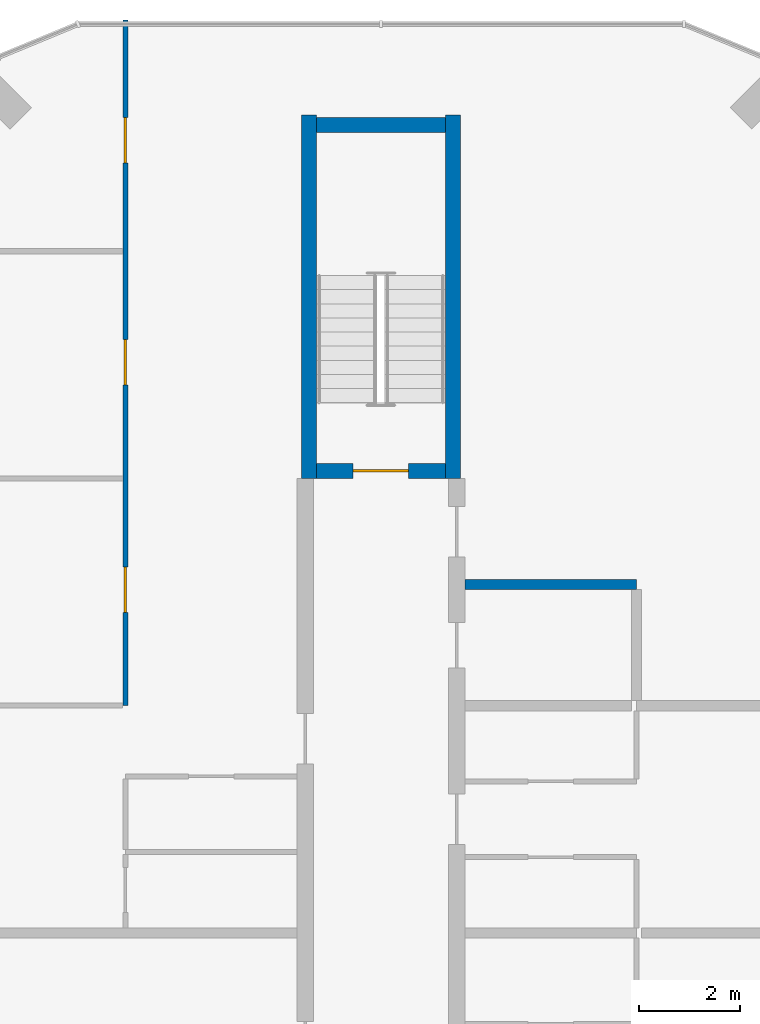
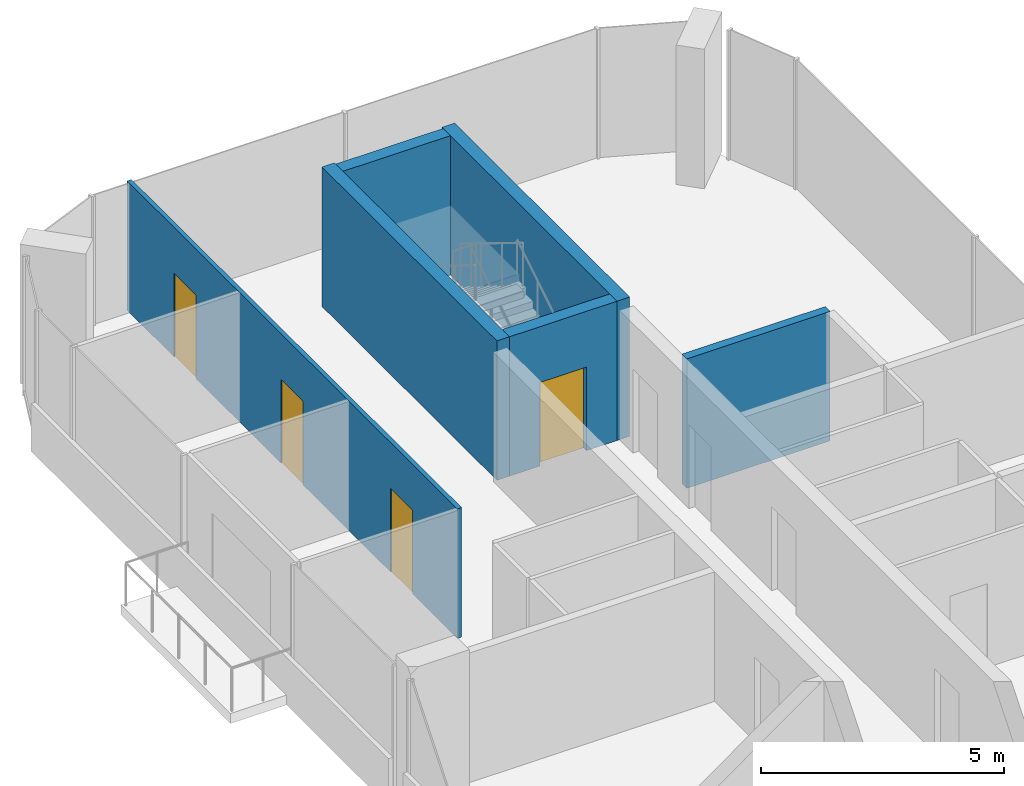
# One storey, part 17 of 27: 6 walls, 4 doors, 4 openings.
"""IFC4 building model written with IfcOpenShell, lengths in metres."""

from ifc_helpers import new_model, si_unit, direction, frame, frame_2d, origin, place, context, subcontext, project, spatial, rectangle, extrude, material, layer, layer_set, type_object, element, fill, save


model = new_model("IFC4")

# Units and contexts
model_context = context("Model", 3, precision=1e-05, world=origin(), true_north=direction((0.0, 1.0)))
body_context = subcontext(model_context, "Body", "Model", "MODEL_VIEW")
ifc_project = project(units=[si_unit("LENGTHUNIT", "METRE"), si_unit("AREAUNIT", "SQUARE_METRE"), si_unit("VOLUMEUNIT", "CUBIC_METRE"), si_unit("PLANEANGLEUNIT", "RADIAN"), si_unit("MASSUNIT", "GRAM", prefix="KILO")], contexts=[model_context])

# Site, building, storey
site_placement = place(None, origin())
site = spatial("IfcSite", under=ifc_project, at=site_placement, CompositionType="ELEMENT")
building_placement = place(site_placement, origin())
building = spatial("IfcBuilding", under=site, at=building_placement, Name="Plateau Cross Towers", CompositionType="ELEMENT")
storey_placement = place(building_placement, frame((0.0, 0.0, 78.300048828125)))
storey = spatial("IfcBuildingStorey", under=building, at=storey_placement, Name="L19", CompositionType="ELEMENT", Elevation=78.300048828125)

# Wall, openings, doors
ifc_material_1 = material(Name="Gypsum board on steel studs", Category="steel")
ifc_layer_1 = layer(ifc_material_1, 0.10009765625)
ifc_layer_set_1 = layer_set([ifc_layer_1], Name="Gypsum board on steel studs")
wall_type_1 = type_object("IfcWallType", Name="Flat partition 100", PredefinedType="PARTITIONING", material=ifc_layer_set_1)
wall_1_placement = place(storey_placement, frame((3.9375, 40.5, 0.0), z_axis=(0.0, 0.0, 1.0), x_axis=(0.0, 1.0, 0.0)))
wall_1 = element("IfcWall", 1, at=wall_1_placement, inside=storey, type_object=wall_type_1, Name="Partition wall", PredefinedType="PARTITIONING", context=body_context, shape_type="SweptSolid", body=[
    extrude(rectangle(XDim=13.580078125, YDim=0.10009765625, at=frame_2d((6.7900390625, 0.0))), origin(), (0.0, 0.0, 1.0), 3.25),
])
opening_1_placement = place(wall_1_placement, frame((1.85009765625, 0.0, 0.0)))
opening_1 = element("IfcOpeningElement", 2, at=opening_1_placement, cuts=wall_1, Name="Opening 19-40", PredefinedType="OPENING", context=body_context, shape_type="SweptSolid", body=[
    extrude(rectangle(XDim=0.89990234375, YDim=2.10009765625, at=frame_2d((0.449951171875, 1.050048828125))), frame((0.0, 0.06005859375, 0.0), z_axis=(0.0, -1.0, 0.0), x_axis=(1.0, 0.0, 0.0)), (0.0, 0.0, 1.0), 0.1201171875),
])
opening_2_placement = place(wall_1_placement, frame((6.35009765625, 0.0, 0.0)))
opening_2 = element("IfcOpeningElement", 3, at=opening_2_placement, cuts=wall_1, Name="Opening 19-41", PredefinedType="OPENING", context=body_context, shape_type="SweptSolid", body=[
    extrude(rectangle(XDim=0.89990234375, YDim=2.10009765625, at=frame_2d((0.449951171875, 1.050048828125))), frame((0.0, 0.06005859375, 0.0), z_axis=(0.0, -1.0, 0.0), x_axis=(1.0, 0.0, 0.0)), (0.0, 0.0, 1.0), 0.1201171875),
])
opening_3_placement = place(wall_1_placement, frame((10.75, 0.0, 0.0)))
opening_3 = element("IfcOpeningElement", 4, at=opening_3_placement, cuts=wall_1, Name="Opening 19-42", PredefinedType="OPENING", context=body_context, shape_type="SweptSolid", body=[
    extrude(rectangle(XDim=0.89990234375, YDim=2.10009765625, at=frame_2d((0.449951171875, 1.050048828125))), frame((0.0, 0.06005859375, 0.0), z_axis=(0.0, -1.0, 0.0), x_axis=(1.0, 0.0, 0.0)), (0.0, 0.0, 1.0), 0.1201171875),
])
ifc_material_2 = material(Name="Timber leaf", Category="wood")
door_type_1 = type_object("IfcDoorType", Name="Flat room door 900", OperationType="NOTDEFINED", PredefinedType="DOOR", material=ifc_material_2)
door_1_placement = place(opening_1_placement, origin())
door_1 = element("IfcDoor", 5, at=door_1_placement, inside=storey, type_object=door_type_1, Name="Door 19-40", OperationType="SINGLE_SWING_LEFT", OverallHeight=2.10009765625, OverallWidth=0.89990234375, PredefinedType="DOOR", context=body_context, shape_type="SweptSolid", body=[
    extrude(rectangle(XDim=0.89990234375, YDim=2.10009765625, at=frame_2d((0.449951171875, 1.050048828125))), frame((0.0, 0.02490234375, 0.0), z_axis=(0.0, -1.0, 0.0), x_axis=(1.0, 0.0, 0.0)), (0.0, 0.0, 1.0), 0.050048828125),
])
fill(opening_1, door_1)
door_2_placement = place(opening_2_placement, origin())
door_2 = element("IfcDoor", 6, at=door_2_placement, inside=storey, type_object=door_type_1, Name="Door 19-41", OperationType="SINGLE_SWING_RIGHT", OverallHeight=2.10009765625, OverallWidth=0.89990234375, PredefinedType="DOOR", context=body_context, shape_type="SweptSolid", body=[
    extrude(rectangle(XDim=0.89990234375, YDim=2.10009765625, at=frame_2d((0.449951171875, 1.050048828125))), frame((0.0, 0.02490234375, 0.0), z_axis=(0.0, -1.0, 0.0), x_axis=(1.0, 0.0, 0.0)), (0.0, 0.0, 1.0), 0.050048828125),
])
fill(opening_2, door_2)
door_3_placement = place(opening_3_placement, origin())
door_3 = element("IfcDoor", 7, at=door_3_placement, inside=storey, type_object=door_type_1, Name="Door 19-42", OperationType="SINGLE_SWING_RIGHT", OverallHeight=2.10009765625, OverallWidth=0.89990234375, PredefinedType="DOOR", context=body_context, shape_type="SweptSolid", body=[
    extrude(rectangle(XDim=0.89990234375, YDim=2.10009765625, at=frame_2d((0.449951171875, 1.050048828125))), frame((0.0, 0.02490234375, 0.0), z_axis=(0.0, -1.0, 0.0), x_axis=(1.0, 0.0, 0.0)), (0.0, 0.0, 1.0), 0.050048828125),
])
fill(opening_3, door_3)

# Wall
ifc_material_3 = material(Name="Gypsum board on steel studs, two layers each side", Category="steel")
ifc_layer_2 = layer(ifc_material_3, 0.199951171875)
ifc_layer_set_2 = layer_set([ifc_layer_2], Name="Gypsum board on steel studs, two layers each side")
wall_type_2 = type_object("IfcWallType", Name="Flat party wall 200", PredefinedType="PARTITIONING", material=ifc_layer_set_2)
wall_2_placement = place(storey_placement, frame((14.0625, 42.89990234375, 0.0), z_axis=(0.0, 0.0, 1.0), x_axis=(-1.0, 0.0, 0.0)))
element("IfcWall", 8, at=wall_2_placement, inside=storey, type_object=wall_type_2, Name="Party wall", PredefinedType="PARTITIONING", context=body_context, shape_type="SweptSolid", body=[
    extrude(rectangle(XDim=3.39990234375, YDim=0.199951171875, at=frame_2d((1.699951171875, 0.0))), origin(), (0.0, 0.0, 1.0), 3.25),
])

# Wall, opening, door
ifc_material_4 = material(Name="Concrete C60/75", Category="concrete")
ifc_layer_3 = layer(ifc_material_4, 0.300048828125)
ifc_layer_set_3 = layer_set([ifc_layer_3], Name="Concrete C60/75")
wall_type_3 = type_object("IfcWallType", Name="Stair tower wall 300", PredefinedType="SHEAR", material=ifc_layer_set_3)
wall_3_placement = place(storey_placement, frame((7.72509765625, 45.14990234375, 0.0), z_axis=(0.0, 0.0, 1.0), x_axis=(1.0, 0.0, 0.0)))
wall_3 = element("IfcWall", 9, at=wall_3_placement, inside=storey, type_object=wall_type_3, Name="A-end-N-S@L19", PredefinedType="SHEAR", context=body_context, shape_type="SweptSolid", body=[
    extrude(rectangle(XDim=2.5498046875, YDim=0.300048828125, at=frame_2d((1.27490234375, 0.0))), origin(), (0.0, 0.0, 1.0), 3.5),
])
opening_4_placement = place(wall_3_placement, frame((0.72509765625, 0.0, 0.0)))
opening_4 = element("IfcOpeningElement", 10, at=opening_4_placement, cuts=wall_3, Name="Opening SD", PredefinedType="OPENING", context=body_context, shape_type="SweptSolid", body=[
    extrude(rectangle(XDim=1.10009765625, YDim=2.10009765625, at=frame_2d((0.550048828125, 1.050048828125))), frame((0.0, 0.159912109375, 0.0), z_axis=(0.0, -1.0, 0.0), x_axis=(1.0, 0.0, 0.0)), (0.0, 0.0, 1.0), 0.320068359375),
])
ifc_material_5 = material(Name="Steel, fire-resisting leaf", Category="steel")
door_type_2 = type_object("IfcDoorType", Name="Stair door 1100", OperationType="NOTDEFINED", PredefinedType="DOOR", material=ifc_material_5)
door_4_placement = place(opening_4_placement, origin())
door_4 = element("IfcDoor", 11, at=door_4_placement, inside=storey, type_object=door_type_2, Name="Stair door SD", OperationType="SINGLE_SWING_LEFT", OverallHeight=2.10009765625, OverallWidth=1.10009765625, PredefinedType="DOOR", context=body_context, shape_type="SweptSolid", body=[
    extrude(rectangle(XDim=1.10009765625, YDim=2.10009765625, at=frame_2d((0.550048828125, 1.050048828125))), frame((0.0, 0.02490234375, 0.0), z_axis=(0.0, -1.0, 0.0), x_axis=(1.0, 0.0, 0.0)), (0.0, 0.0, 1.0), 0.050048828125),
])
fill(opening_4, door_4)

# Walls
wall_4_placement = place(storey_placement, frame((7.72509765625, 52.0, 0.0), z_axis=(0.0, 0.0, 1.0), x_axis=(1.0, 0.0, 0.0)))
element("IfcWall", 12, at=wall_4_placement, inside=storey, type_object=wall_type_3, Name="A-end-N-N@L19", PredefinedType="SHEAR", context=body_context, shape_type="SweptSolid", body=[
    extrude(rectangle(XDim=2.5498046875, YDim=0.300048828125, at=frame_2d((1.27490234375, 0.0))), origin(), (0.0, 0.0, 1.0), 3.5),
])
for number, where, z_axis, x_axis, name in (
    (13, (7.574951171875, 45.0, 0.0), (0.0, 0.0, 1.0), (0.0, 1.0, 0.0), "A-end-N-W@L19"),
    (14, (10.425048828125, 45.0, 0.0), (0.0, 0.0, 1.0), (0.0, 1.0, 0.0), "A-end-N-E@L19"),
):
    element("IfcWall", number, at=place(storey_placement, frame(where, z_axis=z_axis, x_axis=x_axis)), inside=storey, type_object=wall_type_3, Name=name, PredefinedType="SHEAR", context=body_context, shape_type="SweptSolid", body=[
        extrude(rectangle(XDim=7.199951171875, YDim=0.300048828125, at=frame_2d((3.60009765625, 0.0))), origin(), (0.0, 0.0, 1.0), 3.5),
    ])

save(model, "model.ifc")
